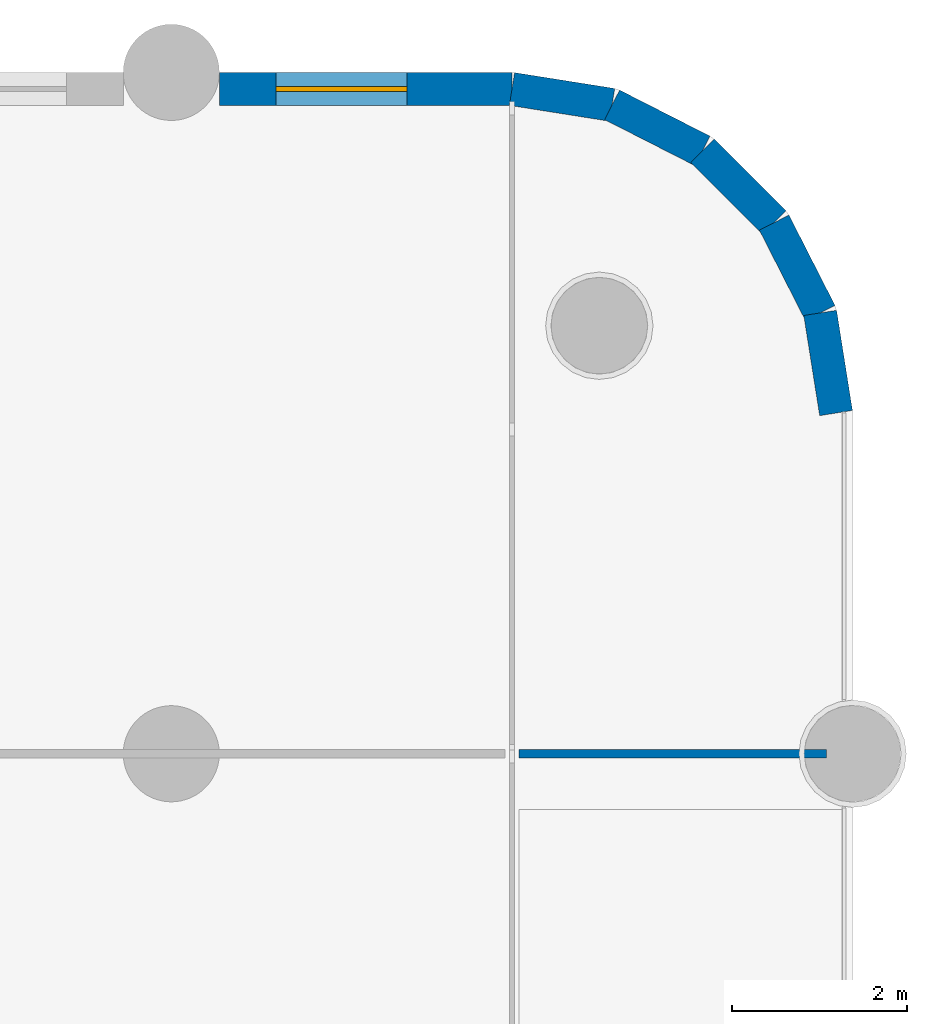
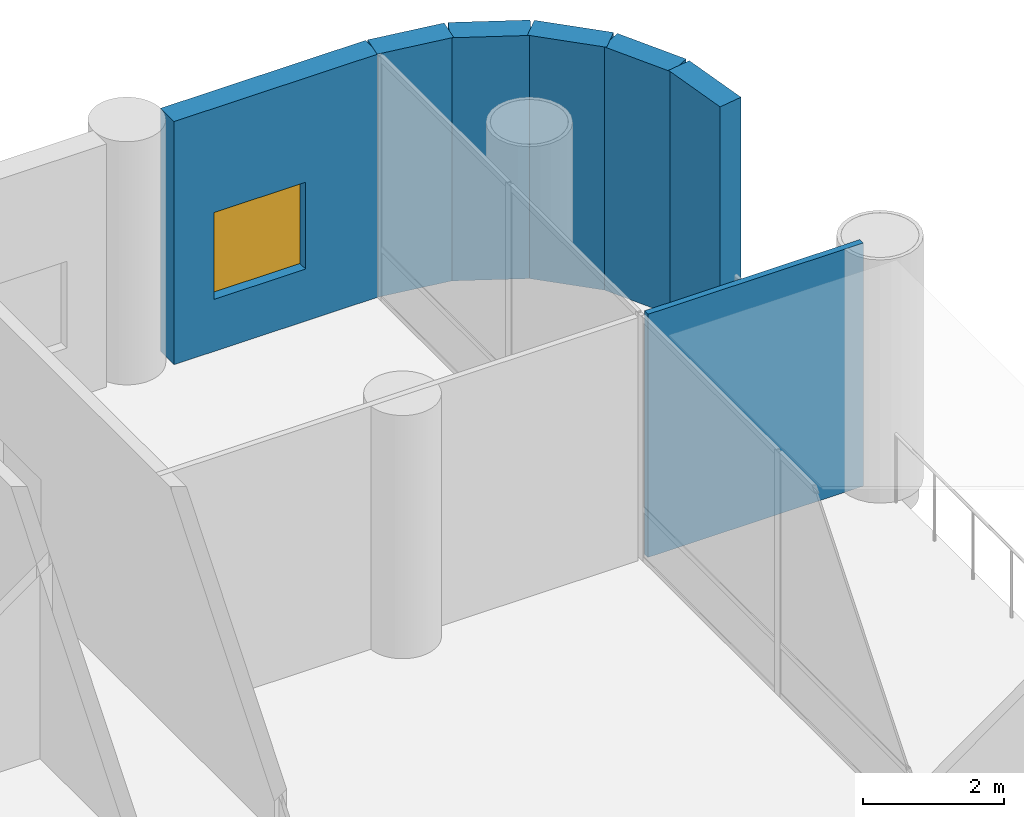
# One storey, part 15 of 24: 7 walls, 1 window, 1 opening.
"""IFC4 building model written with IfcOpenShell, lengths in metres."""

from ifc_helpers import new_model, si_unit, direction, frame, frame_2d, origin, place, context, subcontext, project, spatial, rectangle, extrude, material, layer, layer_set, type_object, element, fill, save


model = new_model("IFC4")

# Units and contexts
model_context = context("Model", 3, precision=1e-05, world=origin(), true_north=direction((0.0, 1.0)))
body_context = subcontext(model_context, "Body", "Model", "MODEL_VIEW")
ifc_project = project(units=[si_unit("LENGTHUNIT", "METRE"), si_unit("AREAUNIT", "SQUARE_METRE"), si_unit("VOLUMEUNIT", "CUBIC_METRE"), si_unit("PLANEANGLEUNIT", "RADIAN"), si_unit("MASSUNIT", "GRAM", prefix="KILO")], contexts=[model_context])

# Site, building, storey
site_placement = place(None, origin())
site = spatial("IfcSite", under=ifc_project, at=site_placement, CompositionType="ELEMENT")
building_placement = place(site_placement, origin())
building = spatial("IfcBuilding", under=site, at=building_placement, Name="Ludao Terraces", CompositionType="ELEMENT")
storey_placement = place(building_placement, frame((0.0, 0.0, 6.0)))
storey = spatial("IfcBuildingStorey", under=building, at=storey_placement, Name="L01", CompositionType="ELEMENT", Elevation=6.0)

# Wall, opening, window
ifc_material_1 = material(Name="Granite cladding", Category="masonry")
ifc_layer_1 = layer(ifc_material_1, 0.06005859375, Category="stone")
ifc_material_2 = material(Name="Mineral wool")
ifc_layer_2 = layer(ifc_material_2, 0.06005859375)
ifc_material_3 = material(Name="Concrete C40", Category="concrete")
ifc_layer_3 = layer(ifc_material_3, 0.260009765625, Category="concrete")
ifc_layer_set_1 = layer_set([ifc_layer_1, ifc_layer_2, ifc_layer_3], Name="ENV Stone-clad wall 380")
wall_type_1 = type_object("IfcWallType", Name="ENV Stone-clad wall 380", PredefinedType="SOLIDWALL", material=ifc_layer_set_1)
wall_1_placement = place(storey_placement, frame((116.75, 88.2099609375, 0.0), z_axis=(0.0, 0.0, 1.0), x_axis=(1.0, 0.0, 0.0)))
wall_1 = element("IfcWall", 1, at=wall_1_placement, inside=storey, type_object=wall_type_1, Name="EW-L01-N8", PredefinedType="SOLIDWALL", context=body_context, shape_type="SweptSolid", body=[
    extrude(rectangle(XDim=3.35009765625, YDim=0.3798828125, at=frame_2d((1.675048828125, 0.0))), origin(), (0.0, 0.0, 1.0), 4.199951171875),
])
opening_placement = place(wall_1_placement, frame((0.64990234375, 0.0, 0.89990234375)))
opening = element("IfcOpeningElement", 2, at=opening_placement, cuts=wall_1, Name="Opening W5", PredefinedType="OPENING", context=body_context, shape_type="SweptSolid", body=[
    extrude(rectangle(XDim=1.5, YDim=1.5, at=frame_2d((0.75, 0.75))), frame((0.0, 0.199951171875, 0.0), z_axis=(0.0, -1.0, 0.0), x_axis=(1.0, 0.0, 0.0)), (0.0, 0.0, 1.0), 0.39990234375),
])
ifc_material_4 = material(Name="Clear glass in aluminium frame", Category="aluminium")
ifc_layer_4 = layer(ifc_material_4, 0.06005859375)
ifc_layer_set_2 = layer_set([ifc_layer_4], Name="ENV Window W5 1500x1500")
window_type = type_object("IfcWindowType", Name="ENV Window W5 1500x1500", PartitioningType="SINGLE_PANEL", PredefinedType="WINDOW", material=ifc_layer_set_2)
window_placement = place(opening_placement, origin())
window = element("IfcWindow", 3, at=window_placement, inside=storey, type_object=window_type, Name="W-L01-N8-1", OverallHeight=1.5, OverallWidth=1.5, PartitioningType="SINGLE_PANEL", PredefinedType="WINDOW", context=body_context, shape_type="SweptSolid", body=[
    extrude(rectangle(XDim=1.5, YDim=1.5, at=frame_2d((0.75, 0.75))), frame((0.0, 0.030029296875, 0.0), z_axis=(0.0, -1.0, 0.0), x_axis=(1.0, 0.0, 0.0)), (0.0, 0.0, 1.0), 0.06005859375),
])
fill(opening, window)

# Walls
wall_2_placement = place(storey_placement, frame((123.81005859375, 84.5, 0.0), z_axis=(0.0, 0.0, 1.0), x_axis=(-0.156480971952, 0.987680973502, 0.0)))
element("IfcWall", 4, at=wall_2_placement, inside=storey, type_object=wall_type_1, Name="EW-L01-NE1", PredefinedType="SOLIDWALL", context=body_context, shape_type="SweptSolid", body=[
    extrude(rectangle(XDim=1.160888671875, YDim=0.3798828125, at=frame_2d((0.58056640625, 0.0))), origin(), (0.0, 0.0, 1.0), 4.199951171875),
])
wall_3_placement = place(storey_placement, frame((123.62841796875, 85.646484375, 0.0), z_axis=(0.0, 0.0, 1.0), x_axis=(-0.453932083539, 0.891036286317, 0.0)))
element("IfcWall", 5, at=wall_3_placement, inside=storey, type_object=wall_type_1, Name="EW-L01-NE2", PredefinedType="SOLIDWALL", context=body_context, shape_type="SweptSolid", body=[
    extrude(rectangle(XDim=1.16064453125, YDim=0.3798828125, at=frame_2d((0.580322265625, 0.0))), origin(), (0.0, 0.0, 1.0), 4.199951171875),
])
for number, where, z_axis, x_axis, name in (
    (6, (123.1015625, 86.6806640625, 0.0), (0.0, 0.0, 1.0), (-0.707106781187, 0.707106781187, 0.0), "EW-L01-NE3"),
    (7, (122.28076171875, 87.50146484375, 0.0), (0.0, 0.0, 1.0), (-0.891079617357, 0.453847017762, 0.0), "EW-L01-NE4"),
):
    element("IfcWall", number, at=place(storey_placement, frame(where, z_axis=z_axis, x_axis=x_axis)), inside=storey, type_object=wall_type_1, Name=name, PredefinedType="SOLIDWALL", context=body_context, shape_type="SweptSolid", body=[
        extrude(rectangle(XDim=1.160888671875, YDim=0.3798828125, at=frame_2d((0.58056640625, 0.0))), origin(), (0.0, 0.0, 1.0), 4.199951171875),
    ])
wall_4_placement = place(storey_placement, frame((121.246337890625, 88.0283203125, 0.0), z_axis=(0.0, 0.0, 1.0), x_axis=(-0.987675821844, 0.156513484867, 0.0)))
element("IfcWall", 8, at=wall_4_placement, inside=storey, type_object=wall_type_1, Name="EW-L01-NE5", PredefinedType="SOLIDWALL", context=body_context, shape_type="SweptSolid", body=[
    extrude(rectangle(XDim=1.16064453125, YDim=0.3798828125, at=frame_2d((0.580322265625, 0.0))), origin(), (0.0, 0.0, 1.0), 4.199951171875),
])
ifc_material_5 = material(Name="Gypsum plasterboard", Category="gypsum")
ifc_layer_5 = layer(ifc_material_5, 0.012451171875, Category="gypsum")
ifc_layer_6 = layer(ifc_material_2, 0.06005859375, Name="insulation")
ifc_material_6 = material(Name="Steel Q235", Category="steel")
ifc_layer_7 = layer(ifc_material_6, 0.014892578125, Name="stud")
ifc_layer_8 = layer(ifc_material_5, 0.012451171875, Category="gypsum")
ifc_layer_set_3 = layer_set([ifc_layer_5, ifc_layer_6, ifc_layer_7, ifc_layer_8], Name="INT Partition 100")
wall_type_2 = type_object("IfcWallType", Name="INT Partition 100", PredefinedType="PARTITIONING", material=ifc_layer_set_3)
wall_5_placement = place(storey_placement, frame((120.179931640625, 80.60009765625, 0.0), z_axis=(0.0, 0.0, 1.0), x_axis=(1.0, 0.0, 0.0)))
element("IfcWall", 9, at=wall_5_placement, inside=storey, type_object=wall_type_2, Name="PW-L01-PW048", PredefinedType="PARTITIONING", context=body_context, shape_type="SweptSolid", body=[
    extrude(rectangle(XDim=3.520263671875, YDim=0.10009765625, at=frame_2d((1.76025390625, 0.0))), origin(), (0.0, 0.0, 1.0), 4.199951171875),
])

save(model, "model.ifc")
